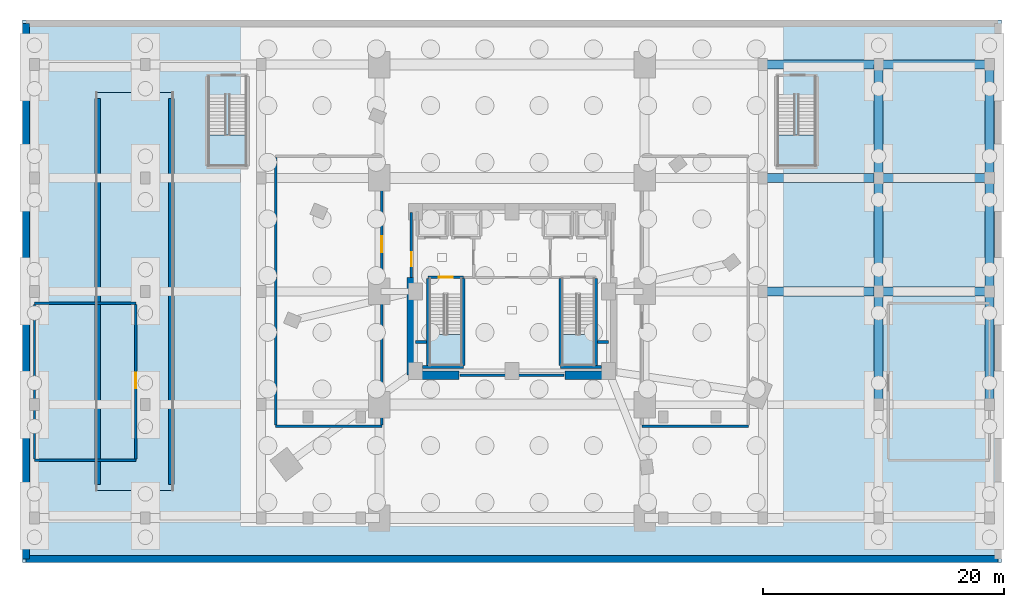
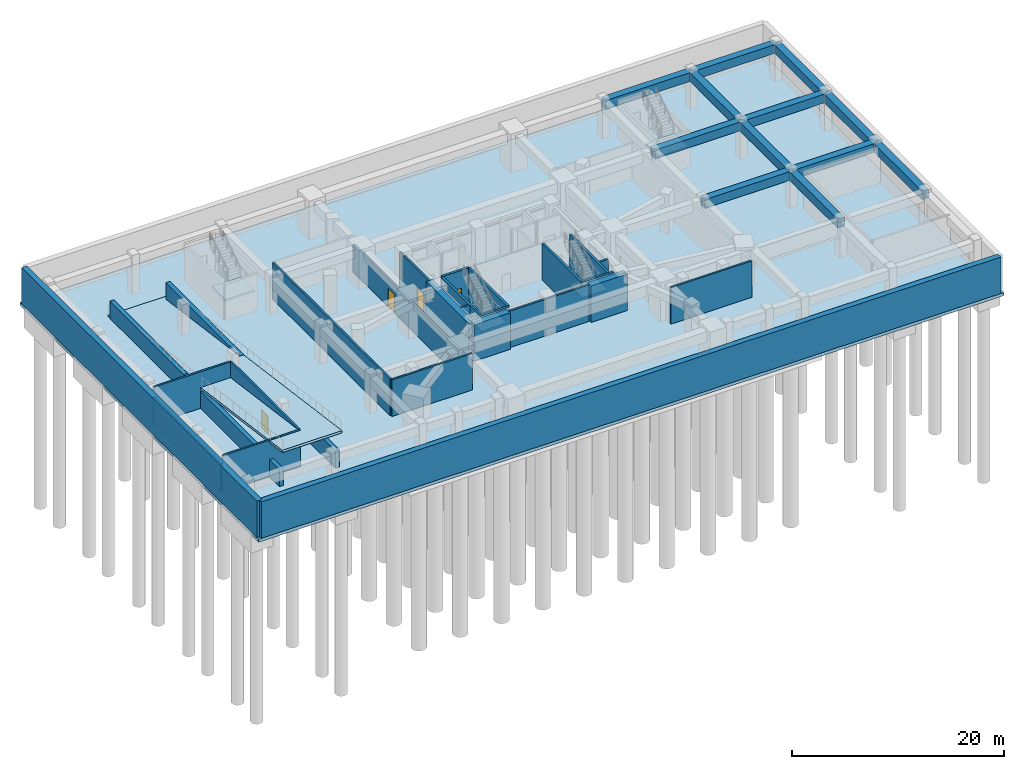
# One storey, part 3 of 10: 26 walls, 12 beams, 6 slabs, 4 doors, 4 openings, 4 elements without a shape of their own.
"""IFC4 building model written with IfcOpenShell, lengths in metres."""

import ifcopenshell
import ifcopenshell.guid

model = None  # the IFC model being written
_history = None  # IfcOwnerHistory: only IFC2X3 demands one
_inside = {}  # id of a spatial element -> (the spatial element, [elements in it])
_under = {}  # id of a project, library or spatial element -> (it, [spatial elements below it])
_declared = {}  # id of a project -> (the project, [libraries it declares])
_typed = {}  # id of a type object -> (the type object, [elements of that type])
_made_of = {}  # id of a material, layer set ... -> (it, [elements and type objects made of it])


def new_model(schema):
    """Start an empty IFC model of exactly this schema.

    Asked for "IFC4X3", IfcOpenShell would pick the latest addendum, in which some entities
    have other attributes; the version numbers below select the first issue.
    IFC2X3 requires an IfcOwnerHistory on every rooted entity: one is made here for all.
    """
    global model, _history
    if schema == "IFC4X3":
        model = ifcopenshell.file(schema_version=(4, 3, 0, 0))
    else:
        model = ifcopenshell.file(schema=schema)
    _inside.clear()
    _under.clear()
    _declared.clear()
    _typed.clear()
    _made_of.clear()
    _history = None
    if model.schema == "IFC2X3":
        org = make("IfcOrganization", Name="unknown")
        user = make(
            "IfcPersonAndOrganization",
            ThePerson=make("IfcPerson", FamilyName="unknown"),
            TheOrganization=org,
        )
        app = make(
            "IfcApplication",
            ApplicationDeveloper=org,
            Version="unknown",
            ApplicationFullName="unknown",
            ApplicationIdentifier="unknown",
        )
        _history = make(
            "IfcOwnerHistory",
            OwningUser=user,
            OwningApplication=app,
            ChangeAction="ADDED",
            CreationDate=0,
        )
    return model


def make(cls, **values):
    """One entity of the class cls with the attributes given. An attribute that is None is left unset."""
    return model.create_entity(
        cls, **{name: value for name, value in values.items() if value is not None}
    )


def rooted(cls, **values):
    """An entity with a GlobalId (a new one), such as an element, a storey or a relation."""
    return make(cls, GlobalId=ifcopenshell.guid.new(), OwnerHistory=_history, **values)


def si_unit(unit_type, name, prefix=None):
    """IfcSIUnit, for example si_unit("LENGTHUNIT", "METRE", prefix="MILLI")."""
    return make("IfcSIUnit", UnitType=unit_type, Prefix=prefix, Name=name)


def assignment(units):
    """IfcUnitAssignment: the units of a project."""
    return None if units is None else make("IfcUnitAssignment", Units=units)


def point(xyz):
    """IfcCartesianPoint."""
    return None if xyz is None else make("IfcCartesianPoint", Coordinates=xyz)


def direction(xyz):
    """IfcDirection."""
    return None if xyz is None else make("IfcDirection", DirectionRatios=xyz)


def frame(location, z_axis=None, x_axis=None):
    """IfcAxis2Placement3D, a coordinate frame: its origin and axes. An axis left out is left unset."""
    return make(
        "IfcAxis2Placement3D",
        Location=point(location),
        Axis=direction(z_axis),
        RefDirection=direction(x_axis),
    )


def frame_2d(location, x_axis=None):
    """IfcAxis2Placement2D, a coordinate frame in the plane: its origin and x axis."""
    return make(
        "IfcAxis2Placement2D", Location=point(location), RefDirection=direction(x_axis)
    )


def origin():
    """The frame at (0, 0, 0) with its axes left unset."""
    return frame((0.0, 0.0, 0.0))


def origin_2d():
    """The frame at (0, 0) in the plane with its x axis left unset."""
    return frame_2d((0.0, 0.0))


def place(relative_to, where):
    """IfcLocalPlacement: puts the frame where relative to a parent placement (None: the world)."""
    return make(
        "IfcLocalPlacement", PlacementRelTo=relative_to, RelativePlacement=where
    )


def context(
    kind, dimensions, precision=None, world=None, true_north=None, identifier=None
):
    """IfcGeometricRepresentationContext, for example the 3D "Model" context."""
    return make(
        "IfcGeometricRepresentationContext",
        ContextIdentifier=identifier,
        ContextType=kind,
        CoordinateSpaceDimension=dimensions,
        Precision=precision,
        WorldCoordinateSystem=world,
        TrueNorth=true_north,
    )


def subcontext(parent, identifier, kind, view, scale=None):
    """IfcGeometricRepresentationSubContext, for example "Body" below "Model"."""
    return make(
        "IfcGeometricRepresentationSubContext",
        ContextIdentifier=identifier,
        ContextType=kind,
        ParentContext=parent,
        TargetScale=scale,
        TargetView=view,
    )


def project(units=None, contexts=None):
    """IfcProject with its units and contexts."""
    return rooted(
        "IfcProject",
        Name="project",
        RepresentationContexts=contexts,
        UnitsInContext=assignment(units),
    )


def spatial(cls, under=None, at=None, **own):
    """A site, building, storey or space (cls), placed at a placement, below another one or the project."""
    s = rooted(cls, ObjectPlacement=at, **own)
    if under is not None:
        _under.setdefault(under.id(), (under, []))[1].append(s)
    return s


def polyline(points):
    """IfcPolyline through the points."""
    return make("IfcPolyline", Points=[point(p) for p in points])


def profile(cls, at=None, kind="AREA", **sizes):
    """A parametric profile (cls). Its sizes go by their IFC names, for example OverallWidth=200.0."""
    return make(cls, ProfileType=kind, Position=at, **sizes)


def rectangle(**sizes):
    """IfcRectangleProfileDef."""
    return profile("IfcRectangleProfileDef", **sizes)


def outline(outer, holes=None, kind="AREA"):
    """IfcArbitraryClosedProfileDef: a profile drawn as a closed curve; with holes, ...WithVoids."""
    if holes is None:
        return make("IfcArbitraryClosedProfileDef", ProfileType=kind, OuterCurve=outer)
    return make(
        "IfcArbitraryProfileDefWithVoids",
        ProfileType=kind,
        OuterCurve=outer,
        InnerCurves=holes,
    )


def extrude(swept, where, along, depth):
    """IfcExtrudedAreaSolid: the profile swept, set in the frame where, extruded along a direction by depth."""
    return make(
        "IfcExtrudedAreaSolid",
        SweptArea=swept,
        Position=where,
        ExtrudedDirection=direction(along),
        Depth=depth,
    )


def shape(context_of_items, identifier, shape_type, items):
    """IfcShapeRepresentation: the items that make up one representation, for example the "Body"."""
    return make(
        "IfcShapeRepresentation",
        ContextOfItems=context_of_items,
        RepresentationIdentifier=identifier,
        RepresentationType=shape_type,
        Items=items,
    )


def material(Name=None, Category=None):
    """IfcMaterial."""
    return make("IfcMaterial", Name=Name, Category=Category)


def layer(
    of_material, thickness, ventilated=None, Name=None, Category=None, Priority=None
):
    """IfcMaterialLayer: one layer of a wall or slab, of a material (None: an air gap)."""
    return make(
        "IfcMaterialLayer",
        Material=of_material,
        LayerThickness=thickness,
        IsVentilated=ventilated,
        Name=Name,
        Category=Category,
        Priority=Priority,
    )


def layer_set(layers, Name=None):
    """IfcMaterialLayerSet."""
    return make("IfcMaterialLayerSet", MaterialLayers=layers, LayerSetName=Name)


def material_profile(
    of_material, cross_section, Name=None, Category=None, Priority=None
):
    """IfcMaterialProfile: a cross section and its material."""
    return make(
        "IfcMaterialProfile",
        Name=Name,
        Material=of_material,
        Profile=cross_section,
        Priority=Priority,
        Category=Category,
    )


def profile_set(profiles, Name=None, composite=None):
    """IfcMaterialProfileSet."""
    return make(
        "IfcMaterialProfileSet",
        Name=Name,
        MaterialProfiles=profiles,
        CompositeProfile=composite,
    )


def made_of(thing, what):
    """Note that an element or type object is made of a material, layer set ...; save() writes the relation."""
    if what is not None:
        _made_of.setdefault(what.id(), (what, []))[1].append(thing)
    return thing


def type_object(cls, material=None, **own):
    """A type object (cls), such as IfcWallType, which elements share."""
    return made_of(rooted(cls, **own), material)


def element(
    cls,
    number,
    at=None,
    inside=None,
    cuts=None,
    type_object=None,
    material=None,
    context=None,
    identifier="Body",
    shape_type=None,
    held_by="IfcProductDefinitionShape",
    body=None,
    shapes=None,
    **own,
):
    """One element of the class cls, such as IfcWall. Its Tag is "e" and its number.

    at: its placement. inside: the storey or other place that contains it. cuts: it is an
    opening in that element (IfcRelVoidsElement). A single representation is given by context,
    identifier, shape_type and body (its items); several are given by shapes. held_by: the class
    of the entity that holds the representations. save() writes the other relations.
    """
    e = rooted(cls, Tag="e%d" % number, ObjectPlacement=at, **own)
    if body is not None:
        shapes = [shape(context, identifier, shape_type, body)]
    if shapes is not None:
        e.Representation = make(held_by, Representations=shapes)
    if inside is not None:
        _inside.setdefault(inside.id(), (inside, []))[1].append(e)
    if cuts is not None:
        rooted(
            "IfcRelVoidsElement", RelatingBuildingElement=cuts, RelatedOpeningElement=e
        )
    if type_object is not None:
        _typed.setdefault(type_object.id(), (type_object, []))[1].append(e)
    return made_of(e, material)


def fill(opening, filler):
    """IfcRelFillsElement: the door or window that sits in an opening."""
    return rooted(
        "IfcRelFillsElement",
        RelatingOpeningElement=opening,
        RelatedBuildingElement=filler,
    )


def aggregate(whole, parts):
    """IfcRelAggregates: a whole, such as a stair, and the parts it consists of."""
    return rooted("IfcRelAggregates", RelatingObject=whole, RelatedObjects=parts)


def save(model, path):
    """Write the relations noted so far, then the file.

    IfcRelAggregates (storeys below a building ...), IfcRelContainedInSpatialStructure (elements
    in a storey), IfcRelDefinesByType, IfcRelAssociatesMaterial and IfcRelDeclares: one each for
    every whole, place, type object, material and project.
    """
    for whole, parts in _under.values():
        aggregate(whole, parts)
    for where, things in _inside.values():
        rooted(
            "IfcRelContainedInSpatialStructure",
            RelatedElements=things,
            RelatingStructure=where,
        )
    for kind, things in _typed.values():
        rooted("IfcRelDefinesByType", RelatedObjects=things, RelatingType=kind)
    for what, things in _made_of.values():
        rooted("IfcRelAssociatesMaterial", RelatedObjects=things, RelatingMaterial=what)
    for by, libraries in _declared.values():
        rooted("IfcRelDeclares", RelatingContext=by, RelatedDefinitions=libraries)
    model.write(path)


model = new_model("IFC4")

# Units and contexts
model_context = context("Model", 3, precision=1e-05, world=origin(), true_north=direction((0.0, 1.0)))
body_context = subcontext(model_context, "Body", "Model", "MODEL_VIEW")
ifc_project = project(units=[si_unit("LENGTHUNIT", "METRE"), si_unit("AREAUNIT", "SQUARE_METRE"), si_unit("VOLUMEUNIT", "CUBIC_METRE"), si_unit("PLANEANGLEUNIT", "RADIAN"), si_unit("MASSUNIT", "GRAM", prefix="KILO")], contexts=[model_context])

# Site, building, storey
site_placement = place(None, origin())
site = spatial("IfcSite", under=ifc_project, at=site_placement, CompositionType="ELEMENT")
building_placement = place(site_placement, origin())
building = spatial("IfcBuilding", under=site, at=building_placement, Name="Ndelora Gate Hotel", CompositionType="ELEMENT")
storey_placement = place(building_placement, frame((0.0, 0.0, -13.5)))
storey = spatial("IfcBuildingStorey", under=building, at=storey_placement, Name="B03", CompositionType="ELEMENT", Elevation=-13.5)

# Beams
ifc_material_1 = material(Name="Concrete C50/60", Category="concrete")
ifc_material_profile = material_profile(ifc_material_1, rectangle(XDim=0.75, YDim=1.0, at=origin_2d()), Name="RCB 750x1000")
ifc_profile_set = profile_set([ifc_material_profile], Name="Concrete C50/60")
beam_type = type_object("IfcBeamType", Name="BM-RC-750x1000", PredefinedType="BEAM", material=ifc_profile_set)
for number, where, z_axis, x_axis, name in (
    (1, (30.39990234375, -9.39990234375, 3.699951171875), (0.0, 1.0, 0.0), (-1.0, 0.0, 0.0), "B03 Podium Longitudinal Girder X=+30.4"),
    (2, (30.39990234375, 0.0, 3.699951171875), (0.0, 1.0, 0.0), (-1.0, 0.0, 0.0), "B03 Podium Longitudinal Girder X=+30.4"),
):
    element("IfcBeam", number, at=place(storey_placement, frame(where, z_axis=z_axis, x_axis=x_axis)), inside=storey, type_object=beam_type, Name=name, PredefinedType="BEAM", context=body_context, shape_type="SweptSolid", body=[
        extrude(rectangle(XDim=0.75, YDim=1.0, at=origin_2d()), origin(), (0.0, 0.0, 1.0), 9.39990234375),
    ])
beam_1_placement = place(storey_placement, frame((30.39990234375, 9.39990234375, 3.699951171875), z_axis=(0.0, 1.0, 0.0), x_axis=(-1.0, 0.0, 0.0)))
element("IfcBeam", 3, at=beam_1_placement, inside=storey, type_object=beam_type, Name="B03 Podium Longitudinal Girder X=+30.4", PredefinedType="BEAM", context=body_context, shape_type="SweptSolid", body=[
    extrude(rectangle(XDim=0.75, YDim=1.0, at=origin_2d()), origin(), (0.0, 0.0, 1.0), 9.400146484375),
])
for number, where, z_axis, x_axis, name in (
    (4, (39.60009765625, -9.39990234375, 3.699951171875), (0.0, 1.0, 0.0), (-1.0, 0.0, 0.0), "B03 Podium Longitudinal Girder X=+39.6"),
    (5, (39.60009765625, 0.0, 3.699951171875), (0.0, 1.0, 0.0), (-1.0, 0.0, 0.0), "B03 Podium Longitudinal Girder X=+39.6"),
):
    element("IfcBeam", number, at=place(storey_placement, frame(where, z_axis=z_axis, x_axis=x_axis)), inside=storey, type_object=beam_type, Name=name, PredefinedType="BEAM", context=body_context, shape_type="SweptSolid", body=[
        extrude(rectangle(XDim=0.75, YDim=1.0, at=origin_2d()), origin(), (0.0, 0.0, 1.0), 9.39990234375),
    ])
beam_2_placement = place(storey_placement, frame((39.60009765625, 9.39990234375, 3.699951171875), z_axis=(0.0, 1.0, 0.0), x_axis=(-1.0, 0.0, 0.0)))
element("IfcBeam", 6, at=beam_2_placement, inside=storey, type_object=beam_type, Name="B03 Podium Longitudinal Girder X=+39.6", PredefinedType="BEAM", context=body_context, shape_type="SweptSolid", body=[
    extrude(rectangle(XDim=0.75, YDim=1.0, at=origin_2d()), origin(), (0.0, 0.0, 1.0), 9.400146484375),
])
beam_3_placement = place(storey_placement, frame((20.800048828125, 0.0, 3.699951171875), z_axis=(1.0, 0.0, 0.0), x_axis=(0.0, 1.0, 0.0)))
element("IfcBeam", 7, at=beam_3_placement, inside=storey, type_object=beam_type, Name="B03 Podium Transverse Girder Y=+0.0", PredefinedType="BEAM", context=body_context, shape_type="SweptSolid", body=[
    extrude(rectangle(XDim=0.75, YDim=1.0, at=origin_2d()), origin(), (0.0, 0.0, 1.0), 9.599853515625),
])
beam_4_placement = place(storey_placement, frame((30.39990234375, 0.0, 3.699951171875), z_axis=(1.0, 0.0, 0.0), x_axis=(0.0, 1.0, 0.0)))
element("IfcBeam", 8, at=beam_4_placement, inside=storey, type_object=beam_type, Name="B03 Podium Transverse Girder Y=+0.0", PredefinedType="BEAM", context=body_context, shape_type="SweptSolid", body=[
    extrude(rectangle(XDim=0.75, YDim=1.0, at=origin_2d()), origin(), (0.0, 0.0, 1.0), 9.2001953125),
])
beam_5_placement = place(storey_placement, frame((20.800048828125, 9.39990234375, 3.699951171875), z_axis=(1.0, 0.0, 0.0), x_axis=(0.0, 1.0, 0.0)))
element("IfcBeam", 9, at=beam_5_placement, inside=storey, type_object=beam_type, Name="B03 Podium Transverse Girder Y=+9.4", PredefinedType="BEAM", context=body_context, shape_type="SweptSolid", body=[
    extrude(rectangle(XDim=0.75, YDim=1.0, at=origin_2d()), origin(), (0.0, 0.0, 1.0), 9.599853515625),
])
beam_6_placement = place(storey_placement, frame((30.39990234375, 9.39990234375, 3.699951171875), z_axis=(1.0, 0.0, 0.0), x_axis=(0.0, 1.0, 0.0)))
element("IfcBeam", 10, at=beam_6_placement, inside=storey, type_object=beam_type, Name="B03 Podium Transverse Girder Y=+9.4", PredefinedType="BEAM", context=body_context, shape_type="SweptSolid", body=[
    extrude(rectangle(XDim=0.75, YDim=1.0, at=origin_2d()), origin(), (0.0, 0.0, 1.0), 9.2001953125),
])
beam_7_placement = place(storey_placement, frame((20.800048828125, 18.800048828125, 3.699951171875), z_axis=(1.0, 0.0, 0.0), x_axis=(0.0, 1.0, 0.0)))
element("IfcBeam", 11, at=beam_7_placement, inside=storey, type_object=beam_type, Name="B03 Podium Transverse Girder Y=+18.8", PredefinedType="BEAM", context=body_context, shape_type="SweptSolid", body=[
    extrude(rectangle(XDim=0.75, YDim=1.0, at=origin_2d()), origin(), (0.0, 0.0, 1.0), 9.599853515625),
])
beam_8_placement = place(storey_placement, frame((30.39990234375, 18.800048828125, 3.699951171875), z_axis=(1.0, 0.0, 0.0), x_axis=(0.0, 1.0, 0.0)))
element("IfcBeam", 12, at=beam_8_placement, inside=storey, type_object=beam_type, Name="B03 Podium Transverse Girder Y=+18.8", PredefinedType="BEAM", context=body_context, shape_type="SweptSolid", body=[
    extrude(rectangle(XDim=0.75, YDim=1.0, at=origin_2d()), origin(), (0.0, 0.0, 1.0), 9.2001953125),
])

# Slab
ifc_material_2 = material(Name="Concrete C40/50", Category="concrete")
ifc_layer_1 = layer(ifc_material_2, 0.35009765625)
ifc_layer_set_1 = layer_set([ifc_layer_1], Name="Concrete C40/50")
slab_type_1 = type_object("IfcSlabType", Name="SL-BASE-350", PredefinedType="BASESLAB", material=ifc_layer_set_1)
slab_1_placement = place(storey_placement, frame((0.0, 0.0, -0.35009765625)))
element("IfcSlab", 13, at=slab_1_placement, inside=storey, type_object=slab_type_1, Name="B03 Structural Floor Slab", PredefinedType="BASESLAB", context=body_context, shape_type="SweptSolid", body=[
    extrude(outline(polyline([(-40.60009765625, -22.5), (40.60009765625, -22.5), (40.60009765625, 22.5), (-40.60009765625, 22.5), (-40.60009765625, -22.5)])), origin(), (0.0, 0.0, 1.0), 0.35009765625),
])

# Stair, slab
ifc_material_3 = material(Name="Precast concrete C40/50", Category="concrete")
stair_type = type_object("IfcStairType", Name="STR-DOG-CORE", PredefinedType="HALF_TURN_STAIR", material=ifc_material_3)
stair_1_placement = place(storey_placement, origin())
stair_1 = element("IfcStair", 14, at=stair_1_placement, inside=storey, type_object=stair_type, Name="B03 Protected Core Exit Stair ST4", PredefinedType="HALF_TURN_STAIR")
ifc_layer_2 = layer(ifc_material_3, 0.219970703125)
ifc_layer_set_2 = layer_set([ifc_layer_2], Name="Precast concrete C40/50")
slab_type_2 = type_object("IfcSlabType", Name="SL-LAND-220", PredefinedType="LANDING", material=ifc_layer_set_2)
slab_2_placement = place(storey_placement, frame((0.0, 0.0, 2.050048828125)))
slab_2 = element("IfcSlab", 15, at=slab_2_placement, type_object=slab_type_2, Name="ST4 landing 1", PredefinedType="LANDING", context=body_context, shape_type="SweptSolid", body=[
    extrude(outline(polyline([(-6.85009765625, -3.590087890625), (-6.85009765625, -6.14990234375), (-4.1298828125, -6.14990234375), (-4.1298828125, -3.590087890625), (-6.85009765625, -3.590087890625)])), origin(), (0.0, 0.0, 1.0), 0.199951171875),
])
aggregate(stair_1, [slab_2])

stair_2_placement = place(storey_placement, origin())
stair_2 = element("IfcStair", 16, at=stair_2_placement, inside=storey, type_object=stair_type, Name="B03 Protected Core Exit Stair ST5", PredefinedType="HALF_TURN_STAIR")
slab_3_placement = place(storey_placement, frame((0.0, 0.0, 2.050048828125)))
slab_3 = element("IfcSlab", 17, at=slab_3_placement, type_object=slab_type_2, Name="ST5 landing 1", PredefinedType="LANDING", context=body_context, shape_type="SweptSolid", body=[
    extrude(outline(polyline([(4.1298828125, -3.590087890625), (4.1298828125, -6.14990234375), (6.85009765625, -6.14990234375), (6.85009765625, -3.590087890625), (4.1298828125, -3.590087890625)])), origin(), (0.0, 0.0, 1.0), 0.199951171875),
])
aggregate(stair_2, [slab_3])

stair_3_placement = place(storey_placement, origin())
stair_3 = element("IfcStair", 18, at=stair_3_placement, inside=storey, type_object=stair_type, Name="B03 Basement Escape Stair ST1", PredefinedType="HALF_TURN_STAIR")
slab_4_placement = place(storey_placement, frame((0.0, 0.0, 2.050048828125)))
slab_4 = element("IfcSlab", 19, at=slab_4_placement, type_object=slab_type_2, Name="ST1 landing 1", PredefinedType="LANDING", context=body_context, shape_type="SweptSolid", body=[
    extrude(outline(polyline([(-25.199951171875, 12.9599609375), (-25.199951171875, 10.39990234375), (-22.0, 10.39990234375), (-22.0, 12.9599609375), (-25.199951171875, 12.9599609375)])), origin(), (0.0, 0.0, 1.0), 0.199951171875),
])
aggregate(stair_3, [slab_4])

stair_4_placement = place(storey_placement, origin())
stair_4 = element("IfcStair", 20, at=stair_4_placement, inside=storey, type_object=stair_type, Name="B03 Basement Escape Stair ST2", PredefinedType="HALF_TURN_STAIR")
slab_5_placement = place(storey_placement, frame((0.0, 0.0, 2.050048828125)))
slab_5 = element("IfcSlab", 21, at=slab_5_placement, type_object=slab_type_2, Name="ST2 landing 1", PredefinedType="LANDING", context=body_context, shape_type="SweptSolid", body=[
    extrude(outline(polyline([(22.0, 12.9599609375), (22.0, 10.39990234375), (25.199951171875, 10.39990234375), (25.199951171875, 12.9599609375), (22.0, 12.9599609375)])), origin(), (0.0, 0.0, 1.0), 0.199951171875),
])
aggregate(stair_4, [slab_5])

# Slab
ifc_layer_3 = layer(ifc_material_2, 0.25)
ifc_layer_set_3 = layer_set([ifc_layer_3], Name="Concrete C40/50")
slab_type_3 = type_object("IfcSlabType", Name="SL-VEH-RAMP-250", PredefinedType="FLOOR", material=ifc_layer_set_3)
slab_6_placement = place(storey_placement, frame((-34.550048828125, 16.5, 0.0), z_axis=(0.0, 0.135113204733, 0.990830168044), x_axis=(1.0, 0.0, 0.0)))
element("IfcSlab", 22, at=slab_6_placement, inside=storey, type_object=slab_type_3, Name="Car Park Vehicle Ramp Slab R3", PredefinedType="FLOOR", context=body_context, shape_type="SweptSolid", body=[
    extrude(outline(polyline([(0.0, 0.0), (6.5, 0.0), (6.5, -33.30540496676178), (0.0, -33.30540496676178), (0.0, 0.0)])), origin(), (0.0, 0.0, -1.0), 0.25),
])

# Walls
ifc_layer_4 = layer(ifc_material_1, 0.449951171875)
ifc_layer_set_4 = layer_set([ifc_layer_4], Name="Concrete C50/60")
wall_type_1 = type_object("IfcWallType", Name="WL-CORE-450", PredefinedType="SHEAR", material=ifc_layer_set_4)
for number, where, z_axis, x_axis, name in (
    (23, (-34.35009765625, -16.0, 0.0), (0.0, 0.0, 1.0), (0.0, 1.0, 0.0), "B03 Vehicle Ramp R3 Support Wall W"),
    (24, (-28.25, -16.0, 0.0), (0.0, 0.0, 1.0), (0.0, 1.0, 0.0), "B03 Vehicle Ramp R3 Support Wall E"),
):
    element("IfcWall", number, at=place(storey_placement, frame(where, z_axis=z_axis, x_axis=x_axis)), inside=storey, type_object=wall_type_1, Name=name, PredefinedType="SHEAR", context=body_context, shape_type="SweptSolid", body=[
        extrude(rectangle(XDim=32.0, YDim=0.449951171875, at=frame_2d((16.0, 0.0))), origin(), (0.0, 0.0, 1.0), 1.969970703125),
    ])
ifc_material_4 = material(Name="Concrete C60/75", Category="concrete")
ifc_layer_5 = layer(ifc_material_4, 0.699951171875)
ifc_layer_set_5 = layer_set([ifc_layer_5], Name="Concrete C60/75")
wall_type_2 = type_object("IfcWallType", Name="WL-CORE-700", PredefinedType="SHEAR", material=ifc_layer_set_5)
for number, where, z_axis, x_axis, name in (
    (25, (-8.35009765625, -6.949951171875, 0.0), (0.0, 0.0, 1.0), (1.0, 0.0, 0.0), "B03 Core Shear Wall S-W"),
    (26, (4.39990234375, -6.949951171875, 0.0), (0.0, 0.0, 1.0), (1.0, 0.0, 0.0), "B03 Core Shear Wall S-E"),
):
    element("IfcWall", number, at=place(storey_placement, frame(where, z_axis=z_axis, x_axis=x_axis)), inside=storey, type_object=wall_type_2, Name=name, PredefinedType="SHEAR", context=body_context, shape_type="SweptSolid", body=[
        extrude(rectangle(XDim=3.9501953125, YDim=0.699951171875, at=frame_2d((1.97509765625, 0.0))), origin(), (0.0, 0.0, 1.0), 4.199951171875),
    ])
wall_1_placement = place(storey_placement, frame((-8.35009765625, -6.949951171875, 0.0), z_axis=(0.0, 0.0, 1.0), x_axis=(0.0, 1.0, 0.0)))
element("IfcWall", 27, at=wall_1_placement, inside=storey, type_object=wall_type_2, Name="B03 Core Shear Wall W", PredefinedType="SHEAR", context=body_context, shape_type="SweptSolid", body=[
    extrude(rectangle(XDim=8.099853515625, YDim=0.699951171875, at=frame_2d((4.0498046875, 0.0))), origin(), (0.0, 0.0, 1.0), 4.199951171875),
])

# Wall, opening, door
ifc_layer_6 = layer(ifc_material_2, 0.199951171875)
ifc_layer_set_6 = layer_set([ifc_layer_6], Name="Concrete C40/50")
wall_type_3 = type_object("IfcWallType", Name="WL-FIRE-200", PredefinedType="PARTITIONING", material=ifc_layer_set_6)
wall_2_placement = place(storey_placement, frame((-8.35009765625, 1.14990234375, 0.0), z_axis=(0.0, 0.0, 1.0), x_axis=(0.0, 1.0, 0.0)))
wall_2 = element("IfcWall", 28, at=wall_2_placement, inside=storey, type_object=wall_type_3, Name="B03 Interior Wall IW-2", PredefinedType="PARTITIONING", context=body_context, shape_type="SweptSolid", body=[
    extrude(rectangle(XDim=5.400146484375, YDim=0.199951171875, at=frame_2d((2.7001953125, 0.0))), origin(), (0.0, 0.0, 1.0), 4.199951171875),
])
opening_1_placement = place(wall_2_placement, frame((0.949951171875, 0.0, 0.0)))
opening_1 = element("IfcOpeningElement", 29, at=opening_1_placement, cuts=wall_2, Name="Opening FD1", PredefinedType="OPENING", context=body_context, shape_type="SweptSolid", body=[
    extrude(rectangle(XDim=1.14990234375, YDim=2.14990234375, at=frame_2d((0.574951171875, 1.074951171875))), frame((0.0, 0.10986328125, 0.0), z_axis=(0.0, -1.0, 0.0), x_axis=(1.0, 0.0, 0.0)), (0.0, 0.0, 1.0), 0.219970703125),
])
ifc_material_5 = material(Name="Fire-Rated Timber-Veneer Steel Core", Category="steel")
door_type_1 = type_object("IfcDoorType", Name="DR-FD60", OperationType="SINGLE_SWING_LEFT", PredefinedType="DOOR", material=ifc_material_5)
door_1_placement = place(opening_1_placement, origin())
door_1 = element("IfcDoor", 30, at=door_1_placement, inside=storey, type_object=door_type_1, Name="B03 Firefighting Lobby West Corridor Door", OperationType="SINGLE_SWING_LEFT", OverallHeight=2.14990234375, OverallWidth=1.14990234375, PredefinedType="DOOR", context=body_context, shape_type="SweptSolid", body=[
    extrude(rectangle(XDim=1.14990234375, YDim=2.14990234375, at=frame_2d((0.574951171875, 1.074951171875))), frame((0.0, 0.02490234375, 0.0), z_axis=(0.0, -1.0, 0.0), x_axis=(1.0, 0.0, 0.0)), (0.0, 0.0, 1.0), 0.050048828125),
])
fill(opening_1, door_1)

# Walls
wall_3_placement = place(storey_placement, frame((-4.320068359375, -6.949951171875, 0.0), z_axis=(0.0, 0.0, 1.0), x_axis=(1.0, 0.0, 0.0)))
element("IfcWall", 31, at=wall_3_placement, inside=storey, type_object=wall_type_3, Name="B03 Interior Wall IW-2", PredefinedType="PARTITIONING", context=body_context, shape_type="SweptSolid", body=[
    extrude(rectangle(XDim=8.64013671875, YDim=0.199951171875, at=frame_2d((4.320068359375, 0.0))), origin(), (0.0, 0.0, 1.0), 4.199951171875),
])
wall_4_placement = place(storey_placement, frame((-19.60009765625, -11.199951171875, 0.0), z_axis=(0.0, 0.0, 1.0), x_axis=(1.0, 0.0, 0.0)))
element("IfcWall", 32, at=wall_4_placement, inside=storey, type_object=wall_type_3, Name="B03 Interior Wall IW-2", PredefinedType="PARTITIONING", context=body_context, shape_type="SweptSolid", body=[
    extrude(rectangle(XDim=8.800048828125, YDim=0.199951171875, at=frame_2d((4.39990234375, 0.0))), origin(), (0.0, 0.0, 1.0), 4.199951171875),
])
wall_5_placement = place(storey_placement, frame((-19.60009765625, 11.090087890625, 0.0), z_axis=(0.0, 0.0, 1.0), x_axis=(0.0, -1.0, 0.0)))
element("IfcWall", 33, at=wall_5_placement, inside=storey, type_object=wall_type_3, Name="B03 Interior Wall IW-2", PredefinedType="PARTITIONING", context=body_context, shape_type="SweptSolid", body=[
    extrude(rectangle(XDim=22.18017578125, YDim=0.199951171875, at=frame_2d((11.090087890625, 0.0))), origin(), (0.0, 0.0, 1.0), 4.199951171875),
])

# Wall, opening, door
wall_6_placement = place(storey_placement, frame((-10.800048828125, -11.090087890625, 0.0), z_axis=(0.0, 0.0, 1.0), x_axis=(0.0, 1.0, 0.0)))
wall_6 = element("IfcWall", 34, at=wall_6_placement, inside=storey, type_object=wall_type_3, Name="B03 Interior Wall IW-2", PredefinedType="PARTITIONING", context=body_context, shape_type="SweptSolid", body=[
    extrude(rectangle(XDim=22.18017578125, YDim=0.199951171875, at=frame_2d((11.090087890625, 0.0))), origin(), (0.0, 0.0, 1.0), 3.179931640625),
])
opening_2_placement = place(wall_6_placement, frame((14.35009765625, 0.0, 0.0)))
opening_2 = element("IfcOpeningElement", 35, at=opening_2_placement, cuts=wall_6, Name="Opening FD3", PredefinedType="OPENING", context=body_context, shape_type="SweptSolid", body=[
    extrude(rectangle(XDim=1.300048828125, YDim=2.14990234375, at=frame_2d((0.64990234375, 1.074951171875))), frame((0.0, 0.10986328125, 0.0), z_axis=(0.0, -1.0, 0.0), x_axis=(1.0, 0.0, 0.0)), (0.0, 0.0, 1.0), 0.219970703125),
])
ifc_material_6 = material(Name="Insulated Steel Plant Room Fire Door", Category="steel")
door_type_2 = type_object("IfcDoorType", Name="DR-PLT-1300", OperationType="SINGLE_SWING_LEFT", PredefinedType="DOOR", material=ifc_material_6)
door_2_placement = place(opening_2_placement, origin())
door_2 = element("IfcDoor", 36, at=door_2_placement, inside=storey, type_object=door_type_2, Name="B03 Standby Power Hall Door", OperationType="SINGLE_SWING_LEFT", OverallHeight=2.14990234375, OverallWidth=1.300048828125, PredefinedType="DOOR", context=body_context, shape_type="SweptSolid", body=[
    extrude(rectangle(XDim=1.300048828125, YDim=2.14990234375, at=frame_2d((0.64990234375, 1.074951171875))), frame((0.0, 0.02490234375, 0.0), z_axis=(0.0, -1.0, 0.0), x_axis=(1.0, 0.0, 0.0)), (0.0, 0.0, 1.0), 0.050048828125),
])
fill(opening_2, door_2)

# Walls
wall_7_placement = place(storey_placement, frame((10.800048828125, -11.199951171875, 0.0), z_axis=(0.0, 0.0, 1.0), x_axis=(1.0, 0.0, 0.0)))
element("IfcWall", 37, at=wall_7_placement, inside=storey, type_object=wall_type_3, Name="B03 Interior Wall IW-2", PredefinedType="PARTITIONING", context=body_context, shape_type="SweptSolid", body=[
    extrude(rectangle(XDim=8.800048828125, YDim=0.199951171875, at=frame_2d((4.39990234375, 0.0))), origin(), (0.0, 0.0, 1.0), 4.199951171875),
])
for number, where, z_axis, x_axis, name in (
    (38, (-39.60009765625, -1.0, 0.0), (0.0, 0.0, 1.0), (1.0, 0.0, 0.0), "B03 Interior Wall IW-2"),
    (39, (-39.60009765625, -14.0, 0.0), (0.0, 0.0, 1.0), (1.0, 0.0, 0.0), "B03 Interior Wall IW-2"),
):
    element("IfcWall", number, at=place(storey_placement, frame(where, z_axis=z_axis, x_axis=x_axis)), inside=storey, type_object=wall_type_3, Name=name, PredefinedType="PARTITIONING", context=body_context, shape_type="SweptSolid", body=[
        extrude(rectangle(XDim=8.400146484375, YDim=0.199951171875, at=frame_2d((4.2001953125, 0.0))), origin(), (0.0, 0.0, 1.0), 4.199951171875),
    ])
wall_8_placement = place(storey_placement, frame((-39.60009765625, -1.110107421875, 0.0), z_axis=(0.0, 0.0, 1.0), x_axis=(0.0, -1.0, 0.0)))
element("IfcWall", 40, at=wall_8_placement, inside=storey, type_object=wall_type_3, Name="B03 Interior Wall IW-2", PredefinedType="PARTITIONING", context=body_context, shape_type="SweptSolid", body=[
    extrude(rectangle(XDim=12.77978515625, YDim=0.199951171875, at=frame_2d((6.389892578125, 0.0))), origin(), (0.0, 0.0, 1.0), 3.179931640625),
])

# Wall, opening, door
wall_9_placement = place(storey_placement, frame((-31.199951171875, -13.889892578125, 0.0), z_axis=(0.0, 0.0, 1.0), x_axis=(0.0, 1.0, 0.0)))
wall_9 = element("IfcWall", 41, at=wall_9_placement, inside=storey, type_object=wall_type_3, Name="B03 Interior Wall IW-2", PredefinedType="PARTITIONING", context=body_context, shape_type="SweptSolid", body=[
    extrude(rectangle(XDim=12.77978515625, YDim=0.199951171875, at=frame_2d((6.389892578125, 0.0))), origin(), (0.0, 0.0, 1.0), 4.199951171875),
])
opening_3_placement = place(wall_9_placement, frame((5.85009765625, 0.0, 0.0)))
opening_3 = element("IfcOpeningElement", 42, at=opening_3_placement, cuts=wall_9, Name="Opening FD3", PredefinedType="OPENING", context=body_context, shape_type="SweptSolid", body=[
    extrude(rectangle(XDim=1.300048828125, YDim=2.14990234375, at=frame_2d((0.64990234375, 1.074951171875))), frame((0.0, 0.10986328125, 0.0), z_axis=(0.0, -1.0, 0.0), x_axis=(1.0, 0.0, 0.0)), (0.0, 0.0, 1.0), 0.219970703125),
])
door_3_placement = place(opening_3_placement, origin())
door_3 = element("IfcDoor", 43, at=door_3_placement, inside=storey, type_object=door_type_2, Name="B03 Potable and Fire Water Cistern Hall Door", OperationType="SINGLE_SWING_LEFT", OverallHeight=2.14990234375, OverallWidth=1.300048828125, PredefinedType="DOOR", context=body_context, shape_type="SweptSolid", body=[
    extrude(rectangle(XDim=1.300048828125, YDim=2.14990234375, at=frame_2d((0.64990234375, 1.074951171875))), frame((0.0, 0.02490234375, 0.0), z_axis=(0.0, -1.0, 0.0), x_axis=(1.0, 0.0, 0.0)), (0.0, 0.0, 1.0), 0.050048828125),
])
fill(opening_3, door_3)

# Walls
ifc_layer_7 = layer(ifc_material_2, 0.60009765625)
ifc_layer_set_7 = layer_set([ifc_layer_7], Name="Concrete C40/50")
wall_type_4 = type_object("IfcWallType", Name="WL-RET-600", PredefinedType="SOLIDWALL", material=ifc_layer_set_7)
wall_10_placement = place(storey_placement, frame((-40.300048828125, -22.199951171875, 0.0), z_axis=(0.0, 0.0, 1.0), x_axis=(1.0, 0.0, 0.0)))
element("IfcWall", 44, at=wall_10_placement, inside=storey, type_object=wall_type_4, Name="B03 Perimeter Retaining Wall RW-1 (1)", PredefinedType="SOLIDWALL", context=body_context, shape_type="SweptSolid", body=[
    extrude(rectangle(XDim=80.60009765625, YDim=0.60009765625, at=frame_2d((40.300048828125, 0.0))), origin(), (0.0, 0.0, 1.0), 4.199951171875),
])
wall_11_placement = place(storey_placement, frame((-40.300048828125, 22.199951171875, 0.0), z_axis=(0.0, 0.0, 1.0), x_axis=(0.0, -1.0, 0.0)))
element("IfcWall", 45, at=wall_11_placement, inside=storey, type_object=wall_type_4, Name="B03 Perimeter Retaining Wall RW-1 (4)", PredefinedType="SOLIDWALL", context=body_context, shape_type="SweptSolid", body=[
    extrude(rectangle(XDim=44.39990234375, YDim=0.60009765625, at=frame_2d((22.199951171875, 0.0))), origin(), (0.0, 0.0, 1.0), 4.199951171875),
])
ifc_layer_8 = layer(ifc_material_2, 0.219970703125)
ifc_layer_set_8 = layer_set([ifc_layer_8], Name="Concrete C40/50")
wall_type_5 = type_object("IfcWallType", Name="WL-SHAFT-220", PredefinedType="PARTITIONING", material=ifc_layer_set_8)
for number, where, z_axis, x_axis, name in (
    (46, (-8.0, -4.199951171875, 0.0), (0.0, 0.0, 1.0), (1.0, 0.0, 0.0), "B03 Interior Wall IW-1"),
    (47, (7.090087890625, -4.199951171875, 0.0), (0.0, 0.0, 1.0), (1.0, 0.0, 0.0), "B03 Interior Wall IW-1"),
):
    element("IfcWall", number, at=place(storey_placement, frame(where, z_axis=z_axis, x_axis=x_axis)), inside=storey, type_object=wall_type_5, Name=name, PredefinedType="PARTITIONING", context=body_context, shape_type="SweptSolid", body=[
        extrude(rectangle(XDim=0.909912109375, YDim=0.219970703125, at=frame_2d((0.455078125, 0.0))), origin(), (0.0, 0.0, 1.0), 4.199951171875),
    ])
ifc_layer_9 = layer(ifc_material_1, 0.239990234375)
ifc_layer_set_9 = layer_set([ifc_layer_9], Name="Concrete C50/60")
wall_type_6 = type_object("IfcWallType", Name="WL-STAIR-240", PredefinedType="SHEAR", material=ifc_layer_set_9)
wall_12_placement = place(storey_placement, frame((-6.969970703125, -6.159912109375, 0.0), z_axis=(0.0, 0.0, 1.0), x_axis=(0.0, 1.0, 0.0)))
element("IfcWall", 48, at=wall_12_placement, inside=storey, type_object=wall_type_6, Name="B03 Stair Core Shear Wall SW-ST", PredefinedType="SHEAR", context=body_context, shape_type="SweptSolid", body=[
    extrude(rectangle(XDim=7.219970703125, YDim=0.239990234375, at=frame_2d((3.60986328125, 0.0))), origin(), (0.0, 0.0, 1.0), 4.199951171875),
])
wall_13_placement = place(storey_placement, frame((-7.425048828125, -6.27001953125, 0.0), z_axis=(0.0, 0.0, 1.0), x_axis=(1.0, 0.0, 0.0)))
element("IfcWall", 49, at=wall_13_placement, inside=storey, type_object=wall_type_6, Name="B03 Stair Core Shear Wall SW-ST", PredefinedType="SHEAR", context=body_context, shape_type="SweptSolid", body=[
    extrude(rectangle(XDim=3.4150390625, YDim=0.239990234375, at=frame_2d((1.70751953125, 0.0))), origin(), (0.0, 0.0, 1.0), 4.199951171875),
])
wall_14_placement = place(storey_placement, frame((-4.010009765625, -6.159912109375, 0.0), z_axis=(0.0, 0.0, 1.0), x_axis=(0.0, 1.0, 0.0)))
element("IfcWall", 50, at=wall_14_placement, inside=storey, type_object=wall_type_6, Name="B03 Stair Core Shear Wall SW-ST", PredefinedType="SHEAR", context=body_context, shape_type="SweptSolid", body=[
    extrude(rectangle(XDim=7.219970703125, YDim=0.239990234375, at=frame_2d((3.60986328125, 0.0))), origin(), (0.0, 0.0, 1.0), 4.199951171875),
])

# Wall, opening, door
wall_15_placement = place(storey_placement, frame((-6.969970703125, 1.169921875, 0.0), z_axis=(0.0, 0.0, 1.0), x_axis=(1.0, 0.0, 0.0)))
wall_15 = element("IfcWall", 51, at=wall_15_placement, inside=storey, type_object=wall_type_6, Name="B03 Stair Core Shear Wall SW-ST", PredefinedType="SHEAR", context=body_context, shape_type="SweptSolid", body=[
    extrude(rectangle(XDim=2.9599609375, YDim=0.239990234375, at=frame_2d((1.47998046875, 0.0))), origin(), (0.0, 0.0, 1.0), 4.199951171875),
])
opening_4_placement = place(wall_15_placement, frame((0.89990234375, 0.0, 0.0)))
opening_4 = element("IfcOpeningElement", 52, at=opening_4_placement, cuts=wall_15, Name="Opening FD1", PredefinedType="OPENING", context=body_context, shape_type="SweptSolid", body=[
    extrude(rectangle(XDim=1.14990234375, YDim=2.14990234375, at=frame_2d((0.574951171875, 1.074951171875))), frame((0.0, 0.1298828125, 0.0), z_axis=(0.0, -1.0, 0.0), x_axis=(1.0, 0.0, 0.0)), (0.0, 0.0, 1.0), 0.260009765625),
])
door_4_placement = place(opening_4_placement, origin())
door_4 = element("IfcDoor", 53, at=door_4_placement, inside=storey, type_object=door_type_1, Name="B03 Exit Stair ST4 Door", OperationType="SINGLE_SWING_LEFT", OverallHeight=2.14990234375, OverallWidth=1.14990234375, PredefinedType="DOOR", context=body_context, shape_type="SweptSolid", body=[
    extrude(rectangle(XDim=1.14990234375, YDim=2.14990234375, at=frame_2d((0.574951171875, 1.074951171875))), frame((0.0, 0.02490234375, 0.0), z_axis=(0.0, -1.0, 0.0), x_axis=(1.0, 0.0, 0.0)), (0.0, 0.0, 1.0), 0.050048828125),
])
fill(opening_4, door_4)

# Walls
for number, where, z_axis, x_axis, name in (
    (54, (4.010009765625, -6.159912109375, 0.0), (0.0, 0.0, 1.0), (0.0, 1.0, 0.0), "B03 Stair Core Shear Wall SW-ST"),
    (55, (6.969970703125, -6.159912109375, 0.0), (0.0, 0.0, 1.0), (0.0, 1.0, 0.0), "B03 Stair Core Shear Wall SW-ST"),
):
    element("IfcWall", number, at=place(storey_placement, frame(where, z_axis=z_axis, x_axis=x_axis)), inside=storey, type_object=wall_type_6, Name=name, PredefinedType="SHEAR", context=body_context, shape_type="SweptSolid", body=[
        extrude(rectangle(XDim=7.219970703125, YDim=0.239990234375, at=frame_2d((3.60986328125, 0.0))), origin(), (0.0, 0.0, 1.0), 4.199951171875),
    ])
wall_16_placement = place(storey_placement, frame((4.010009765625, -6.27001953125, 0.0), z_axis=(0.0, 0.0, 1.0), x_axis=(1.0, 0.0, 0.0)))
element("IfcWall", 56, at=wall_16_placement, inside=storey, type_object=wall_type_6, Name="B03 Stair Core Shear Wall SW-ST", PredefinedType="SHEAR", context=body_context, shape_type="SweptSolid", body=[
    extrude(rectangle(XDim=3.4150390625, YDim=0.239990234375, at=frame_2d((1.70751953125, 0.0))), origin(), (0.0, 0.0, 1.0), 4.199951171875),
])

save(model, "model.ifc")
